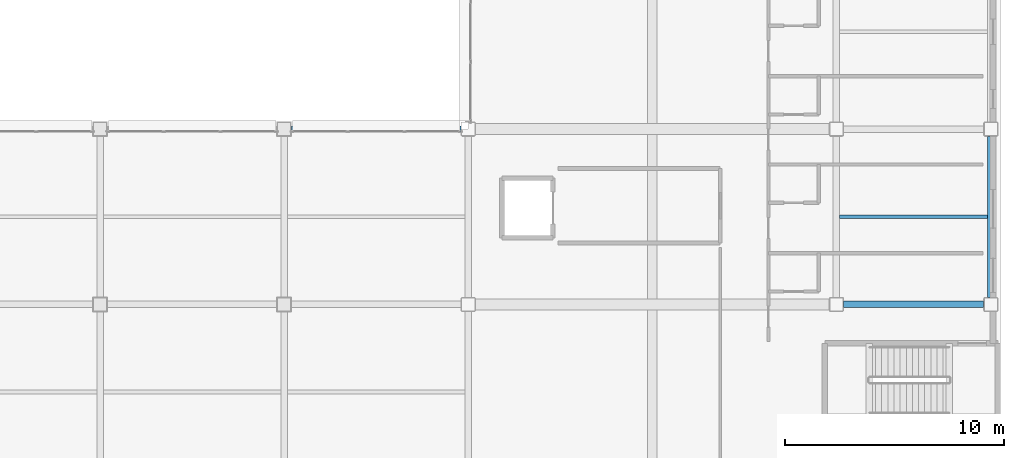
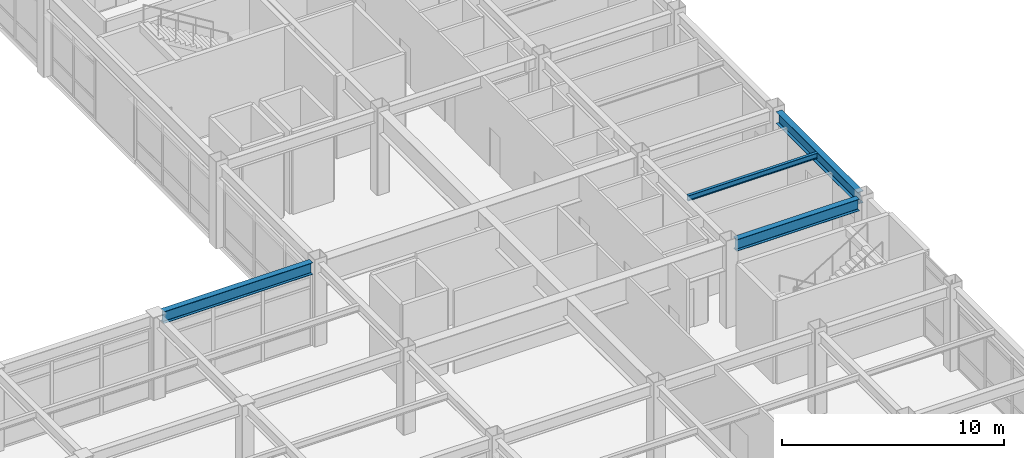
# One storey, part 55 of 93: 4 beams.
"""IFC4 building model written with IfcOpenShell, lengths in metres."""

from ifc_helpers import new_model, si_unit, direction, frame, origin, origin_2d, place, context, subcontext, project, spatial, i_section, extrude, material, material_profile, profile_set, type_object, element, save


model = new_model("IFC4")

# Units and contexts
model_context = context("Model", 3, precision=1e-05, world=origin(), true_north=direction((0.0, 1.0)))
body_context = subcontext(model_context, "Body", "Model", "MODEL_VIEW")
ifc_project = project(units=[si_unit("LENGTHUNIT", "METRE"), si_unit("AREAUNIT", "SQUARE_METRE"), si_unit("VOLUMEUNIT", "CUBIC_METRE"), si_unit("PLANEANGLEUNIT", "RADIAN"), si_unit("MASSUNIT", "GRAM", prefix="KILO")], contexts=[model_context])

# Site, building, storey
site_placement = place(None, origin())
site = spatial("IfcSite", under=ifc_project, at=site_placement, CompositionType="ELEMENT")
building_placement = place(site_placement, origin())
building = spatial("IfcBuilding", under=site, at=building_placement, Name="Kazehara Bluff Congress Hotel", CompositionType="ELEMENT")
storey_placement = place(building_placement, frame((0.0, 0.0, 15.0)))
storey = spatial("IfcBuildingStorey", under=building, at=storey_placement, Name="L03", CompositionType="ELEMENT", Elevation=15.0)

# Beams
ifc_material_1 = material(Name="Steel SN490B", Category="steel")
ifc_material_profile_1 = material_profile(ifc_material_1, i_section(OverallWidth=0.300048828125, OverallDepth=0.64990234375, WebThickness=0.011962890625, FlangeThickness=0.02001953125, FilletRadius=0.012939453125, at=origin_2d()))
ifc_profile_set_1 = profile_set([ifc_material_profile_1], Name="Steel SN490B")
beam_type_1 = type_object("IfcBeamType", Name="TP-G-03", PredefinedType="BEAM", material=ifc_profile_set_1)
beam_1_placement = place(storey_placement, frame((167.550048828125, 24.324951171875, 4.235107421875), z_axis=(0.0, 1.0, 0.0), x_axis=(-1.0, 0.0, 0.0)))
element("IfcBeam", 1, at=beam_1_placement, inside=storey, type_object=beam_type_1, Name="L03 girder G-03 142", PredefinedType="BEAM", context=body_context, shape_type="SweptSolid", body=[
    extrude(i_section(OverallWidth=0.300048828125, OverallDepth=0.64990234375, WebThickness=0.011962890625, FlangeThickness=0.02001953125, FilletRadius=0.012939453125, at=origin_2d()), origin(), (0.0, 0.0, 1.0), 7.35009765625),
])
beam_2_placement = place(storey_placement, frame((160.824951171875, 24.0, 4.235107421875), z_axis=(1.0, 0.0, 0.0), x_axis=(0.0, 1.0, 0.0)))
element("IfcBeam", 2, at=beam_2_placement, inside=storey, type_object=beam_type_1, Name="L03 girder G-03 169", PredefinedType="BEAM", context=body_context, shape_type="SweptSolid", body=[
    extrude(i_section(OverallWidth=0.300048828125, OverallDepth=0.64990234375, WebThickness=0.011962890625, FlangeThickness=0.02001953125, FilletRadius=0.012939453125, at=origin_2d()), origin(), (0.0, 0.0, 1.0), 6.400146484375),
])
beam_3_placement = place(storey_placement, frame((135.625, 32.0, 4.235107421875), z_axis=(1.0, 0.0, 0.0), x_axis=(0.0, 1.0, 0.0)))
element("IfcBeam", 3, at=beam_3_placement, inside=storey, type_object=beam_type_1, Name="L03 girder G-03 173", PredefinedType="BEAM", context=body_context, shape_type="SweptSolid", body=[
    extrude(i_section(OverallWidth=0.300048828125, OverallDepth=0.64990234375, WebThickness=0.011962890625, FlangeThickness=0.02001953125, FilletRadius=0.012939453125, at=origin_2d()), origin(), (0.0, 0.0, 1.0), 7.75),
])
ifc_material_2 = material(Name="Steel SN400B", Category="steel")
ifc_material_profile_2 = material_profile(ifc_material_2, i_section(OverallWidth=0.14990234375, OverallDepth=0.300048828125, WebThickness=0.006591796875, FlangeThickness=0.009033203125, FilletRadius=0.012939453125, at=origin_2d()))
ifc_profile_set_2 = profile_set([ifc_material_profile_2], Name="Steel SN400B")
beam_type_2 = type_object("IfcBeamType", Name="TP-J-01", PredefinedType="JOIST", material=ifc_profile_set_2)
beam_4_placement = place(storey_placement, frame((160.64990234375, 28.0, 4.409912109375), z_axis=(1.0, 0.0, 0.0), x_axis=(0.0, 1.0, 0.0)))
element("IfcBeam", 4, at=beam_4_placement, inside=storey, type_object=beam_type_2, Name="L03 secondary joist J-01 40", PredefinedType="JOIST", context=body_context, shape_type="SweptSolid", body=[
    extrude(i_section(OverallWidth=0.14990234375, OverallDepth=0.300048828125, WebThickness=0.006591796875, FlangeThickness=0.009033203125, FilletRadius=0.012939453125, at=origin_2d()), origin(), (0.0, 0.0, 1.0), 6.75),
])

save(model, "model.ifc")
